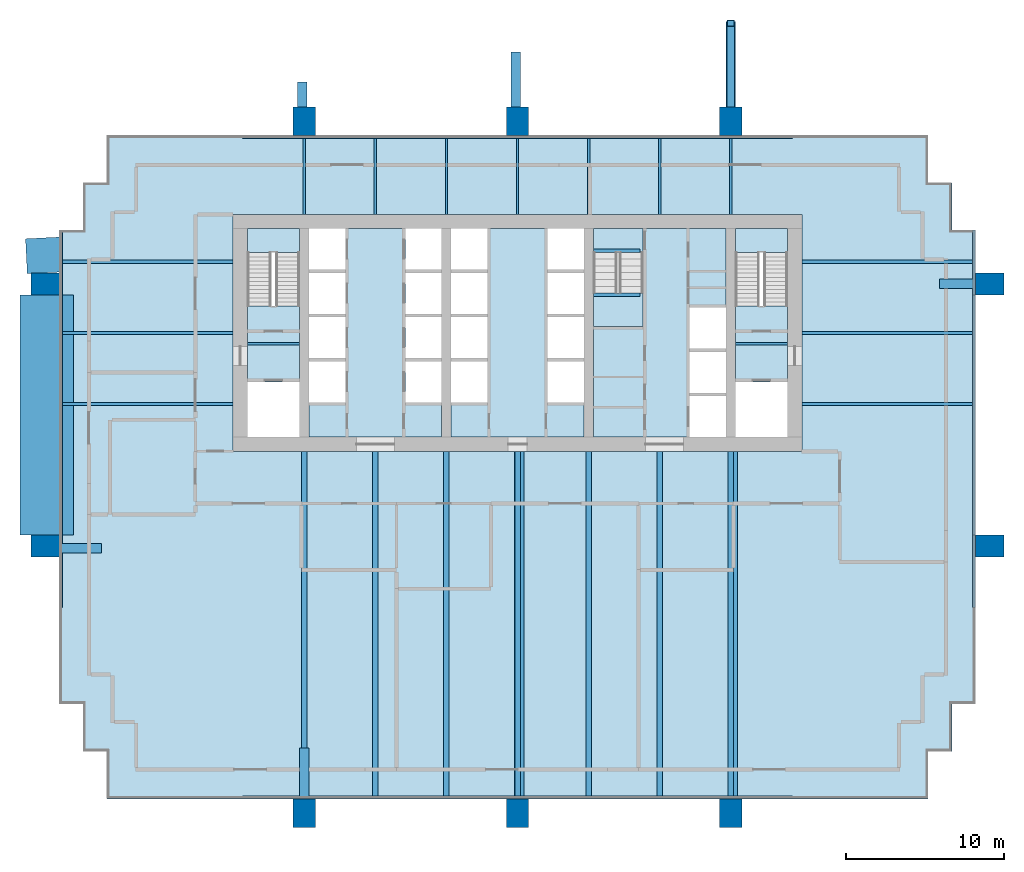
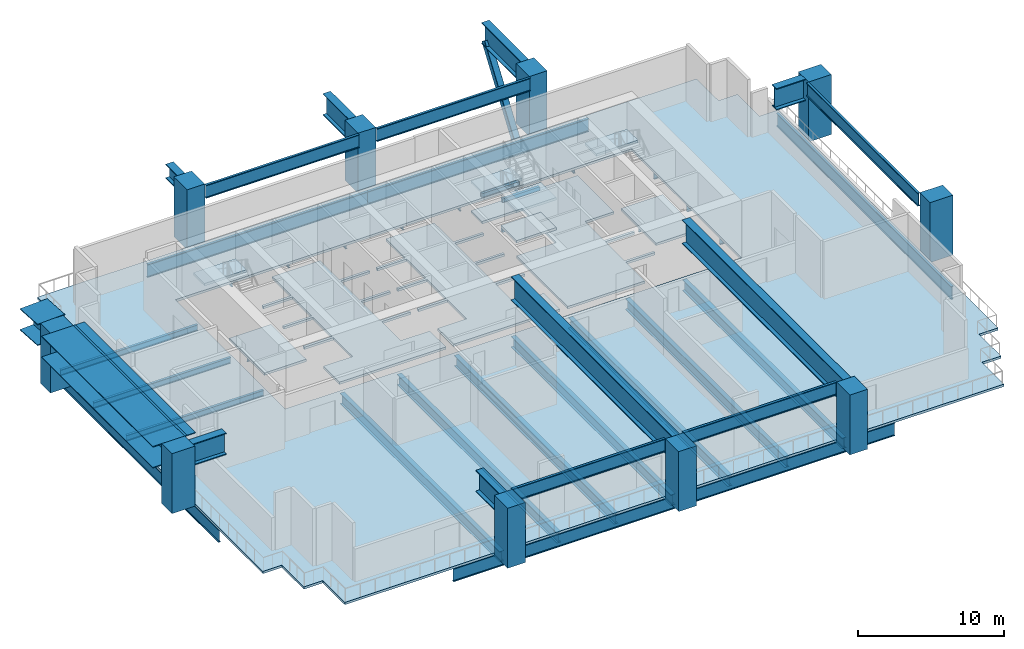
# One storey, part 1 of 9: 47 beams, 11 slabs, 10 columns, 1 member, 3 elements without a shape of their own.
"""IFC4 building model written with IfcOpenShell, lengths in metres."""

from ifc_helpers import new_model, si_unit, direction, frame, origin, origin_2d, place, context, subcontext, project, spatial, polyline, rectangle, hollow_rectangle, i_section, outline, extrude, material, layer, layer_set, material_profile, profile_set, type_object, element, aggregate, save


model = new_model("IFC4")

# Units and contexts
model_context = context("Model", 3, precision=1e-05, world=origin(), true_north=direction((0.0, 1.0)))
body_context = subcontext(model_context, "Body", "Model", "MODEL_VIEW")
ifc_project = project(units=[si_unit("LENGTHUNIT", "METRE"), si_unit("AREAUNIT", "SQUARE_METRE"), si_unit("VOLUMEUNIT", "CUBIC_METRE"), si_unit("PLANEANGLEUNIT", "RADIAN"), si_unit("MASSUNIT", "GRAM", prefix="KILO")], contexts=[model_context])

# Site, building, storey
site_placement = place(None, origin())
site = spatial("IfcSite", under=ifc_project, at=site_placement, CompositionType="ELEMENT")
building_placement = place(site_placement, origin())
building = spatial("IfcBuilding", under=site, at=building_placement, Name="Rattan Terrace Tower", CompositionType="ELEMENT")
storey_placement = place(building_placement, frame((0.0, 0.0, 158.10009765625)))
storey = spatial("IfcBuildingStorey", under=building, at=storey_placement, Name="L36", CompositionType="ELEMENT", Elevation=158.10009765625)

# Columns
ifc_material_1 = material(Name="Concrete C50/60", Category="concrete")
ifc_material_profile_1 = material_profile(ifc_material_1, rectangle(XDim=1.39990234375, YDim=1.800048828125, at=origin_2d()), Name="CFT 1800x1400")
ifc_profile_set_1 = profile_set([ifc_material_profile_1], Name="Concrete C50/60")
column_type = type_object("IfcColumnType", Name="Frame exoskeleton column CFT 1800x1400", PredefinedType="COLUMN", material=ifc_profile_set_1)
for number, where, z_axis, x_axis, name in (
    (1, (-13.5, -30.39990234375, -0.2001953125), (0.0, 0.0, 1.0), (1.0, 0.0, 0.0), "exo-L36-001"),
    (2, (0.0, -30.39990234375, -0.2001953125), (0.0, 0.0, 1.0), (1.0, 0.0, 0.0), "exo-L36-002"),
    (3, (13.5, -30.39990234375, -0.2001953125), (0.0, 0.0, 1.0), (1.0, 0.0, 0.0), "exo-L36-003"),
    (4, (-29.89990234375, -13.5, -0.2001953125), (0.0, 0.0, 1.0), (0.0, 1.0, 0.0), "exo-L36-004"),
    (5, (29.89990234375, -13.5, -0.2001953125), (0.0, 0.0, 1.0), (0.0, 1.0, 0.0), "exo-L36-005"),
    (6, (-29.89990234375, 3.10009765625, -0.2001953125), (0.0, 0.0, 1.0), (0.0, 1.0, 0.0), "exo-L36-006"),
    (7, (29.89990234375, 3.10009765625, -0.2001953125), (0.0, 0.0, 1.0), (0.0, 1.0, 0.0), "exo-L36-007"),
    (8, (-13.5, 13.39990234375, -0.2001953125), (0.0, 0.0, 1.0), (1.0, 0.0, 0.0), "exo-L36-008"),
    (9, (0.0, 13.39990234375, -0.2001953125), (0.0, 0.0, 1.0), (1.0, 0.0, 0.0), "exo-L36-009"),
    (10, (13.5, 13.39990234375, -0.2001953125), (0.0, 0.0, 1.0), (1.0, 0.0, 0.0), "exo-L36-010"),
):
    element("IfcColumn", number, at=place(storey_placement, frame(where, z_axis=z_axis, x_axis=x_axis)), inside=storey, type_object=column_type, Name=name, PredefinedType="COLUMN", context=body_context, shape_type="SweptSolid", body=[
        extrude(rectangle(XDim=1.39990234375, YDim=1.800048828125, at=origin_2d()), origin(), (0.0, 0.0, 1.0), 5.0),
    ])

# Beams
ifc_material_2 = material(Name="Concrete C40/50", Category="concrete")
ifc_material_profile_2 = material_profile(ifc_material_2, rectangle(XDim=0.199951171875, YDim=0.300048828125, at=origin_2d()), Name="RC 200x300")
ifc_profile_set_2 = profile_set([ifc_material_profile_2], Name="Concrete C40/50")
beam_type_1 = type_object("IfcBeamType", Name="Core landing beam RC 200x300", PredefinedType="BEAM", material=ifc_profile_set_2)
for number, where, z_axis, x_axis, name in (
    (11, (4.800048828125, 2.419921875, 0.89990234375), (1.0, 0.0, 0.0), (0.0, 1.0, 0.0), "st-S3-L36 landing 1 edge beam"),
    (12, (4.800048828125, 5.199951171875, 2.14990234375), (1.0, 0.0, 0.0), (0.0, 1.0, 0.0), "st-S3-L36 landing 2 edge beam"),
    (13, (4.800048828125, 2.419921875, 3.39990234375), (1.0, 0.0, 0.0), (0.0, 1.0, 0.0), "st-S3-L36 landing 3 edge beam"),
):
    element("IfcBeam", number, at=place(storey_placement, frame(where, z_axis=z_axis, x_axis=x_axis)), inside=storey, type_object=beam_type_1, Name=name, PredefinedType="BEAM", context=body_context, shape_type="SweptSolid", body=[
        extrude(rectangle(XDim=0.199951171875, YDim=0.300048828125, at=origin_2d()), origin(), (0.0, 0.0, 1.0), 2.949951171875),
    ])
ifc_material_3 = material(Name="Steel S460", Category="steel")
ifc_material_profile_3 = material_profile(ifc_material_3, i_section(OverallWidth=0.179931640625, OverallDepth=1.10009765625, WebThickness=0.01611328125, FlangeThickness=0.050048828125, at=origin_2d()), Name="PG 1100x180-16-50")
ifc_profile_set_3 = profile_set([ifc_material_profile_3], Name="Steel S460")
beam_type_2 = type_object("IfcBeamType", Name="Frame edge girder PG 1100x180-16-50", PredefinedType="SPANDREL", material=ifc_profile_set_3)
for number, where, z_axis, x_axis, name in (
    (14, (-17.39990234375, -29.409912109375, -0.75), (1.0, 0.0, 0.0), (0.0, 1.0, 0.0), "gdr-L36-001"),
    (15, (17.39990234375, -29.409912109375, -0.75), (-1.0, 0.0, 0.0), (0.0, -1.0, 0.0), "gdr-L36-002"),
):
    element("IfcBeam", number, at=place(storey_placement, frame(where, z_axis=z_axis, x_axis=x_axis)), inside=storey, type_object=beam_type_2, Name=name, PredefinedType="SPANDREL", context=body_context, shape_type="SweptSolid", body=[
        extrude(i_section(OverallWidth=0.179931640625, OverallDepth=1.10009765625, WebThickness=0.01611328125, FlangeThickness=0.050048828125, at=origin_2d()), origin(), (0.0, 0.0, 1.0), 17.39990234375),
    ])
for number, where, z_axis, x_axis, name in (
    (16, (-28.909912109375, -17.39990234375, -0.75), (0.0, 1.0, 0.0), (-1.0, 0.0, 0.0), "gdr-L36-003"),
    (17, (28.909912109375, 6.5, -0.75), (0.0, -1.0, 0.0), (1.0, 0.0, 0.0), "gdr-L36-004"),
):
    element("IfcBeam", number, at=place(storey_placement, frame(where, z_axis=z_axis, x_axis=x_axis)), inside=storey, type_object=beam_type_2, Name=name, PredefinedType="SPANDREL", context=body_context, shape_type="SweptSolid", body=[
        extrude(i_section(OverallWidth=0.179931640625, OverallDepth=1.10009765625, WebThickness=0.01611328125, FlangeThickness=0.050048828125, at=origin_2d()), origin(), (0.0, 0.0, 1.0), 23.89990234375),
    ])
for number, where, z_axis, x_axis, name in (
    (18, (-17.39990234375, 12.409912109375, -0.75), (1.0, 0.0, 0.0), (0.0, 1.0, 0.0), "gdr-L36-005"),
    (19, (17.39990234375, 12.409912109375, -0.75), (-1.0, 0.0, 0.0), (0.0, -1.0, 0.0), "gdr-L36-006"),
):
    element("IfcBeam", number, at=place(storey_placement, frame(where, z_axis=z_axis, x_axis=x_axis)), inside=storey, type_object=beam_type_2, Name=name, PredefinedType="SPANDREL", context=body_context, shape_type="SweptSolid", body=[
        extrude(i_section(OverallWidth=0.179931640625, OverallDepth=1.10009765625, WebThickness=0.01611328125, FlangeThickness=0.050048828125, at=origin_2d()), origin(), (0.0, 0.0, 1.0), 17.39990234375),
    ])

# Member
ifc_material_4 = material(Name="Steel S355", Category="steel")
ifc_material_profile_4 = material_profile(ifc_material_4, hollow_rectangle(XDim=0.5, YDim=0.5, WallThickness=0.02001953125, InnerFilletRadius=0.02001953125, OuterFilletRadius=0.0400390625, at=origin_2d()), Name="SHS 500x500x20")
ifc_profile_set_4 = profile_set([ifc_material_profile_4], Name="Steel S355")
member_type = type_object("IfcMemberType", Name="Frame exoskeleton strut SHS 500x500x20", PredefinedType="BRACE", material=ifc_profile_set_4)
member_placement = place(storey_placement, frame((13.5, 14.094970703125, -4.591064453125), z_axis=(0.0, 0.573559542912, 0.819163872943), x_axis=(-1.0, 0.0, 0.0)))
element("IfcMember", 20, at=member_placement, inside=storey, type_object=member_type, Name="str-L36-001", PredefinedType="BRACE", context=body_context, shape_type="SweptSolid", body=[
    extrude(hollow_rectangle(XDim=0.5, YDim=0.5, WallThickness=0.02001953125, InnerFilletRadius=0.02001953125, OuterFilletRadius=0.0400390625, at=origin_2d()), origin(), (0.0, 0.0, 1.0), 9.6083984375),
])

# Beams
ifc_material_5 = material(Name="Steel S355", Category="steel")
ifc_material_profile_5 = material_profile(ifc_material_5, i_section(OverallWidth=0.14990234375, OverallDepth=0.300048828125, WebThickness=0.007080078125, FlangeThickness=0.0107421875, FilletRadius=0.014892578125, at=origin_2d()), Name="IPE 300")
ifc_profile_set_5 = profile_set([ifc_material_profile_5], Name="Steel S355")
beam_type_3 = type_object("IfcBeamType", Name="Frame floor beam IPE 300", PredefinedType="JOIST", material=ifc_profile_set_5)
for number, where, z_axis, x_axis, name in (
    (21, (-17.10009765625, -0.695068359375, -0.35009765625), (1.0, 0.0, 0.0), (0.0, 1.0, 0.0), "bm-L36-001"),
    (22, (13.800048828125, -0.695068359375, -0.35009765625), (1.0, 0.0, 0.0), (0.0, 1.0, 0.0), "bm-L36-002"),
):
    element("IfcBeam", number, at=place(storey_placement, frame(where, z_axis=z_axis, x_axis=x_axis)), inside=storey, type_object=beam_type_3, Name=name, PredefinedType="JOIST", context=body_context, shape_type="SweptSolid", body=[
        extrude(i_section(OverallWidth=0.14990234375, OverallDepth=0.300048828125, WebThickness=0.007080078125, FlangeThickness=0.0107421875, FilletRadius=0.014892578125, at=origin_2d()), origin(), (0.0, 0.0, 1.0), 3.300048828125),
    ])
for number, where, z_axis, x_axis, name in (
    (23, (-13.5, 7.5, -0.35009765625), (0.0, 1.0, 0.0), (-1.0, 0.0, 0.0), "bm-L36-016"),
    (24, (-9.0, 7.5, -0.35009765625), (0.0, 1.0, 0.0), (-1.0, 0.0, 0.0), "bm-L36-017"),
    (25, (-4.5, 7.5, -0.35009765625), (0.0, 1.0, 0.0), (-1.0, 0.0, 0.0), "bm-L36-018"),
    (26, (0.0, 7.5, -0.35009765625), (0.0, 1.0, 0.0), (-1.0, 0.0, 0.0), "bm-L36-019"),
    (27, (4.5, 7.5, -0.35009765625), (0.0, 1.0, 0.0), (-1.0, 0.0, 0.0), "bm-L36-020"),
    (28, (9.0, 7.5, -0.35009765625), (0.0, 1.0, 0.0), (-1.0, 0.0, 0.0), "bm-L36-021"),
    (29, (13.5, 7.5, -0.35009765625), (0.0, 1.0, 0.0), (-1.0, 0.0, 0.0), "bm-L36-022"),
):
    element("IfcBeam", number, at=place(storey_placement, frame(where, z_axis=z_axis, x_axis=x_axis)), inside=storey, type_object=beam_type_3, Name=name, PredefinedType="JOIST", context=body_context, shape_type="SweptSolid", body=[
        extrude(i_section(OverallWidth=0.14990234375, OverallDepth=0.300048828125, WebThickness=0.007080078125, FlangeThickness=0.0107421875, FilletRadius=0.014892578125, at=origin_2d()), origin(), (0.0, 0.0, 1.0), 4.820068359375),
    ])
ifc_material_6 = material(Name="Steel S355", Category="steel")
ifc_material_profile_6 = material_profile(ifc_material_6, i_section(OverallWidth=0.199951171875, OverallDepth=0.5, WebThickness=0.01025390625, FlangeThickness=0.01611328125, FilletRadius=0.02099609375, at=origin_2d()), Name="IPE 500")
ifc_profile_set_6 = profile_set([ifc_material_profile_6], Name="Steel S355")
beam_type_4 = type_object("IfcBeamType", Name="Frame floor beam IPE 500", PredefinedType="JOIST", material=ifc_profile_set_6)
for number, where, z_axis, x_axis, name in (
    (30, (-28.820068359375, -4.5, -0.4501953125), (1.0, 0.0, 0.0), (0.0, 1.0, 0.0), "bm-L36-010"),
    (31, (18.0, -4.5, -0.4501953125), (1.0, 0.0, 0.0), (0.0, 1.0, 0.0), "bm-L36-011"),
    (32, (-28.820068359375, 0.0, -0.4501953125), (1.0, 0.0, 0.0), (0.0, 1.0, 0.0), "bm-L36-012"),
    (33, (18.0, 0.0, -0.4501953125), (1.0, 0.0, 0.0), (0.0, 1.0, 0.0), "bm-L36-013"),
    (34, (-28.820068359375, 4.5, -0.4501953125), (1.0, 0.0, 0.0), (0.0, 1.0, 0.0), "bm-L36-014"),
    (35, (18.0, 4.5, -0.4501953125), (1.0, 0.0, 0.0), (0.0, 1.0, 0.0), "bm-L36-015"),
):
    element("IfcBeam", number, at=place(storey_placement, frame(where, z_axis=z_axis, x_axis=x_axis)), inside=storey, type_object=beam_type_4, Name=name, PredefinedType="JOIST", context=body_context, shape_type="SweptSolid", body=[
        extrude(i_section(OverallWidth=0.199951171875, OverallDepth=0.5, WebThickness=0.01025390625, FlangeThickness=0.01611328125, FilletRadius=0.02099609375, at=origin_2d()), origin(), (0.0, 0.0, 1.0), 10.820068359375),
    ])
ifc_material_7 = material(Name="Steel S460", Category="steel")
ifc_material_profile_7 = material_profile(ifc_material_7, i_section(OverallWidth=0.35009765625, OverallDepth=0.89990234375, WebThickness=0.013916015625, FlangeThickness=0.0400390625, at=origin_2d()), Name="PG 900x350-14-40")
ifc_profile_set_7 = profile_set([ifc_material_profile_7], Name="Steel S460")
beam_type_5 = type_object("IfcBeamType", Name="Frame floor beam PG 900x350-14-40", PredefinedType="JOIST", material=ifc_profile_set_7)
for number, where, z_axis, x_axis, name in (
    (36, (-13.5, -29.320068359375, -0.650146484375), (0.0, 1.0, 0.0), (-1.0, 0.0, 0.0), "bm-L36-003"),
    (37, (-9.0, -29.320068359375, -0.650146484375), (0.0, 1.0, 0.0), (-1.0, 0.0, 0.0), "bm-L36-004"),
    (38, (-4.5, -29.320068359375, -0.650146484375), (0.0, 1.0, 0.0), (-1.0, 0.0, 0.0), "bm-L36-005"),
    (39, (0.0, -29.320068359375, -0.650146484375), (0.0, 1.0, 0.0), (-1.0, 0.0, 0.0), "bm-L36-006"),
    (40, (4.5, -29.320068359375, -0.650146484375), (0.0, 1.0, 0.0), (-1.0, 0.0, 0.0), "bm-L36-007"),
    (41, (9.0, -29.320068359375, -0.650146484375), (0.0, 1.0, 0.0), (-1.0, 0.0, 0.0), "bm-L36-008"),
    (42, (13.5, -29.320068359375, -0.650146484375), (0.0, 1.0, 0.0), (-1.0, 0.0, 0.0), "bm-L36-009"),
):
    element("IfcBeam", number, at=place(storey_placement, frame(where, z_axis=z_axis, x_axis=x_axis)), inside=storey, type_object=beam_type_5, Name=name, PredefinedType="JOIST", context=body_context, shape_type="SweptSolid", body=[
        extrude(i_section(OverallWidth=0.35009765625, OverallDepth=0.89990234375, WebThickness=0.013916015625, FlangeThickness=0.0400390625, at=origin_2d()), origin(), (0.0, 0.0, 1.0), 21.820068359375),
    ])
ifc_material_8 = material(Name="Steel S460", Category="steel")
ifc_material_profile_8 = material_profile(ifc_material_8, i_section(OverallWidth=0.179931640625, OverallDepth=1.10009765625, WebThickness=0.01611328125, FlangeThickness=0.050048828125, at=origin_2d()), Name="PG 1100x180-16-50")
ifc_profile_set_8 = profile_set([ifc_material_profile_8], Name="Steel S460")
beam_type_6 = type_object("IfcBeamType", Name="Frame transfer girder PG 1100x180-16-50", PredefinedType="USERDEFINED", material=ifc_profile_set_8)
beam_1_placement = place(storey_placement, frame((28.909912109375, -12.800048828125, 4.25), z_axis=(0.0, 1.0, 0.0), x_axis=(-1.0, 0.0, 0.0)))
element("IfcBeam", 43, at=beam_1_placement, inside=storey, type_object=beam_type_6, Name="trf-L36-001", ObjectType="TRANSFER GIRDER", PredefinedType="USERDEFINED", context=body_context, shape_type="SweptSolid", body=[
    extrude(i_section(OverallWidth=0.179931640625, OverallDepth=1.10009765625, WebThickness=0.01611328125, FlangeThickness=0.050048828125, at=origin_2d()), origin(), (0.0, 0.0, 1.0), 15.199951171875),
])
for number, where, z_axis, x_axis, name in (
    (44, (12.800048828125, 12.409912109375, 4.25), (-1.0, 0.0, 0.0), (0.0, -1.0, 0.0), "trf-L36-002"),
    (45, (-0.699951171875, 12.409912109375, 4.25), (-1.0, 0.0, 0.0), (0.0, -1.0, 0.0), "trf-L36-003"),
):
    element("IfcBeam", number, at=place(storey_placement, frame(where, z_axis=z_axis, x_axis=x_axis)), inside=storey, type_object=beam_type_6, Name=name, ObjectType="TRANSFER GIRDER", PredefinedType="USERDEFINED", context=body_context, shape_type="SweptSolid", body=[
        extrude(i_section(OverallWidth=0.179931640625, OverallDepth=1.10009765625, WebThickness=0.01611328125, FlangeThickness=0.050048828125, at=origin_2d()), origin(), (0.0, 0.0, 1.0), 12.10009765625),
    ])
beam_2_placement = place(storey_placement, frame((-28.909912109375, 2.39990234375, 4.25), z_axis=(0.0, -1.0, 0.0), x_axis=(1.0, 0.0, 0.0)))
element("IfcBeam", 46, at=beam_2_placement, inside=storey, type_object=beam_type_6, Name="trf-L36-004", ObjectType="TRANSFER GIRDER", PredefinedType="USERDEFINED", context=body_context, shape_type="SweptSolid", body=[
    extrude(i_section(OverallWidth=0.179931640625, OverallDepth=1.10009765625, WebThickness=0.01611328125, FlangeThickness=0.050048828125, at=origin_2d()), origin(), (0.0, 0.0, 1.0), 15.199951171875),
])
for number, where, z_axis, x_axis, name in (
    (47, (-12.800048828125, -29.409912109375, 4.25), (1.0, 0.0, 0.0), (0.0, 1.0, 0.0), "trf-L36-005"),
    (48, (0.699951171875, -29.409912109375, 4.25), (1.0, 0.0, 0.0), (0.0, 1.0, 0.0), "trf-L36-006"),
):
    element("IfcBeam", number, at=place(storey_placement, frame(where, z_axis=z_axis, x_axis=x_axis)), inside=storey, type_object=beam_type_6, Name=name, ObjectType="TRANSFER GIRDER", PredefinedType="USERDEFINED", context=body_context, shape_type="SweptSolid", body=[
        extrude(i_section(OverallWidth=0.179931640625, OverallDepth=1.10009765625, WebThickness=0.01611328125, FlangeThickness=0.050048828125, at=origin_2d()), origin(), (0.0, 0.0, 1.0), 12.10009765625),
    ])
ifc_material_9 = material(Name="Steel S460", Category="steel")
ifc_material_profile_9 = material_profile(ifc_material_9, i_section(OverallWidth=0.60009765625, OverallDepth=1.199951171875, WebThickness=0.0400390625, FlangeThickness=0.070068359375, at=origin_2d()), Name="PG 1200x600-40-70")
ifc_profile_set_9 = profile_set([ifc_material_profile_9], Name="Steel S460")
beam_type_7 = type_object("IfcBeamType", Name="Frame transfer girder PG 1200x600-40-70", PredefinedType="USERDEFINED", material=ifc_profile_set_9)
beam_3_placement = place(storey_placement, frame((-13.6201171875, 14.300048828125, 4.199951171875), z_axis=(0.0, 1.0, 0.0), x_axis=(-1.0, 0.0, 0.0)))
element("IfcBeam", 49, at=beam_3_placement, inside=storey, type_object=beam_type_7, Name="trf-L36-013", ObjectType="TRANSFER GIRDER", PredefinedType="USERDEFINED", context=body_context, shape_type="SweptSolid", body=[
    extrude(i_section(OverallWidth=0.60009765625, OverallDepth=1.199951171875, WebThickness=0.0400390625, FlangeThickness=0.070068359375, at=origin_2d()), origin(), (0.0, 0.0, 1.0), 1.593017578125),
])
ifc_material_10 = material(Name="Steel S460", Category="steel")
ifc_material_profile_10 = material_profile(ifc_material_10, i_section(OverallWidth=2.2119140625, OverallDepth=1.800048828125, WebThickness=0.0400390625, FlangeThickness=0.070068359375, at=origin_2d()), Name="PG 1800x2212-40-70")
ifc_profile_set_10 = profile_set([ifc_material_profile_10], Name="Steel S460")
beam_type_8 = type_object("IfcBeamType", Name="Frame transfer girder PG 1800x2212-40-70", PredefinedType="USERDEFINED", material=ifc_profile_set_10)
beam_4_placement = place(storey_placement, frame((-29.93505859375, 3.800048828125, 3.89990234375), z_axis=(-0.050552836025, 0.998721387961, 0.0), x_axis=(-0.998721387961, -0.050552836025, 0.0)))
element("IfcBeam", 50, at=beam_4_placement, inside=storey, type_object=beam_type_8, Name="trf-L36-010", ObjectType="TRANSFER GIRDER", PredefinedType="USERDEFINED", context=body_context, shape_type="SweptSolid", body=[
    extrude(i_section(OverallWidth=2.2119140625, OverallDepth=1.800048828125, WebThickness=0.0400390625, FlangeThickness=0.070068359375, at=origin_2d()), origin(), (0.0, 0.0, 1.0), 2.216796875),
])
ifc_material_11 = material(Name="Steel S460", Category="steel")
ifc_material_profile_11 = material_profile(ifc_material_11, i_section(OverallWidth=3.3759765625, OverallDepth=1.800048828125, WebThickness=0.030029296875, FlangeThickness=0.06005859375, at=origin_2d()), Name="PG 1800x3376-30-60")
ifc_profile_set_11 = profile_set([ifc_material_profile_11], Name="Steel S460")
beam_type_9 = type_object("IfcBeamType", Name="Frame transfer girder PG 1800x3376-30-60", PredefinedType="USERDEFINED", material=ifc_profile_set_11)
beam_5_placement = place(storey_placement, frame((-29.81201171875, 2.39990234375, 3.89990234375), z_axis=(0.0, -1.0, 0.0), x_axis=(1.0, 0.0, 0.0)))
element("IfcBeam", 51, at=beam_5_placement, inside=storey, type_object=beam_type_9, Name="trf-L36-007", ObjectType="TRANSFER GIRDER", PredefinedType="USERDEFINED", context=body_context, shape_type="SweptSolid", body=[
    extrude(i_section(OverallWidth=3.3759765625, OverallDepth=1.800048828125, WebThickness=0.030029296875, FlangeThickness=0.06005859375, at=origin_2d()), origin(), (0.0, 0.0, 1.0), 15.199951171875),
])
ifc_material_12 = material(Name="Steel S460", Category="steel")
ifc_material_profile_12 = material_profile(ifc_material_12, i_section(OverallWidth=0.60009765625, OverallDepth=1.800048828125, WebThickness=0.0400390625, FlangeThickness=0.070068359375, at=origin_2d()), Name="PG 1800x600-40-70")
ifc_profile_set_12 = profile_set([ifc_material_profile_12], Name="Steel S460")
beam_type_10 = type_object("IfcBeamType", Name="Frame transfer girder PG 1800x600-40-70", PredefinedType="USERDEFINED", material=ifc_profile_set_12)
beam_6_placement = place(storey_placement, frame((-29.0, -13.6201171875, 3.89990234375), z_axis=(1.0, 0.0, 0.0), x_axis=(0.0, 1.0, 0.0)))
element("IfcBeam", 52, at=beam_6_placement, inside=storey, type_object=beam_type_10, Name="trf-L36-008", ObjectType="TRANSFER GIRDER", PredefinedType="USERDEFINED", context=body_context, shape_type="SweptSolid", body=[
    extrude(i_section(OverallWidth=0.60009765625, OverallDepth=1.800048828125, WebThickness=0.0400390625, FlangeThickness=0.070068359375, at=origin_2d()), origin(), (0.0, 0.0, 1.0), 2.64892578125),
])
beam_7_placement = place(storey_placement, frame((26.7060546875, 3.10009765625, 3.89990234375), z_axis=(1.0, 0.0, 0.0), x_axis=(0.0, 1.0, 0.0)))
element("IfcBeam", 53, at=beam_7_placement, inside=storey, type_object=beam_type_10, Name="trf-L36-009", ObjectType="TRANSFER GIRDER", PredefinedType="USERDEFINED", context=body_context, shape_type="SweptSolid", body=[
    extrude(i_section(OverallWidth=0.60009765625, OverallDepth=1.800048828125, WebThickness=0.0400390625, FlangeThickness=0.070068359375, at=origin_2d()), origin(), (0.0, 0.0, 1.0), 2.2939453125),
])
beam_8_placement = place(storey_placement, frame((-0.1201171875, 14.300048828125, 3.89990234375), z_axis=(0.0, 1.0, 0.0), x_axis=(-1.0, 0.0, 0.0)))
element("IfcBeam", 54, at=beam_8_placement, inside=storey, type_object=beam_type_10, Name="trf-L36-011", ObjectType="TRANSFER GIRDER", PredefinedType="USERDEFINED", context=body_context, shape_type="SweptSolid", body=[
    extrude(i_section(OverallWidth=0.60009765625, OverallDepth=1.800048828125, WebThickness=0.0400390625, FlangeThickness=0.070068359375, at=origin_2d()), origin(), (0.0, 0.0, 1.0), 3.489990234375),
])
beam_9_placement = place(storey_placement, frame((-13.5, -29.5, 3.89990234375), z_axis=(0.0, 1.0, 0.0), x_axis=(-1.0, 0.0, 0.0)))
element("IfcBeam", 55, at=beam_9_placement, inside=storey, type_object=beam_type_10, Name="trf-L36-012", ObjectType="TRANSFER GIRDER", PredefinedType="USERDEFINED", context=body_context, shape_type="SweptSolid", body=[
    extrude(i_section(OverallWidth=0.60009765625, OverallDepth=1.800048828125, WebThickness=0.0400390625, FlangeThickness=0.070068359375, at=origin_2d()), origin(), (0.0, 0.0, 1.0), 3.218994140625),
])
beam_10_placement = place(storey_placement, frame((13.5, 14.300048828125, 3.89990234375), z_axis=(0.0, 1.0, 0.0), x_axis=(-1.0, 0.0, 0.0)))
element("IfcBeam", 56, at=beam_10_placement, inside=storey, type_object=beam_type_10, Name="trf-L36-015", ObjectType="TRANSFER GIRDER", PredefinedType="USERDEFINED", context=body_context, shape_type="SweptSolid", body=[
    extrude(i_section(OverallWidth=0.60009765625, OverallDepth=1.800048828125, WebThickness=0.0400390625, FlangeThickness=0.070068359375, at=origin_2d()), origin(), (0.0, 0.0, 1.0), 5.406005859375),
])
ifc_material_13 = material(Name="Steel S460", Category="steel")
ifc_material_profile_13 = material_profile(ifc_material_13, i_section(OverallWidth=0.60009765625, OverallDepth=2.0, WebThickness=0.0400390625, FlangeThickness=0.070068359375, at=origin_2d()), Name="PG 2000x600-40-70")
ifc_profile_set_13 = profile_set([ifc_material_profile_13], Name="Steel S460")
beam_type_11 = type_object("IfcBeamType", Name="Frame transfer girder PG 2000x600-40-70", PredefinedType="USERDEFINED", material=ifc_profile_set_13)
for number, where, z_axis, x_axis, name in (
    (57, (0.1201171875, -29.5, 3.7998046875), (0.0, 1.0, 0.0), (-1.0, 0.0, 0.0), "trf-L36-014"),
    (58, (13.6201171875, -29.5, 3.7998046875), (0.0, 1.0, 0.0), (-1.0, 0.0, 0.0), "trf-L36-016"),
):
    element("IfcBeam", number, at=place(storey_placement, frame(where, z_axis=z_axis, x_axis=x_axis)), inside=storey, type_object=beam_type_11, Name=name, ObjectType="TRANSFER GIRDER", PredefinedType="USERDEFINED", context=body_context, shape_type="SweptSolid", body=[
        extrude(i_section(OverallWidth=0.60009765625, OverallDepth=2.0, WebThickness=0.0400390625, FlangeThickness=0.070068359375, at=origin_2d()), origin(), (0.0, 0.0, 1.0), 22.0),
    ])

# Stair, slab
ifc_material_14 = material(Name="Concrete C40/50", Category="concrete")
stair_type = type_object("IfcStairType", Name="Core exit stair 1500", PredefinedType="HALF_TURN_STAIR", material=ifc_material_14)
stair_1_placement = place(storey_placement, origin())
stair_1 = element("IfcStair", 59, at=stair_1_placement, inside=storey, type_object=stair_type, Name="L36 exit stair 1", PredefinedType="HALF_TURN_STAIR")
ifc_material_15 = material(Name="Concrete C40/50", Category="concrete")
ifc_layer_1 = layer(ifc_material_15, 0.199951171875)
ifc_layer_set_1 = layer_set([ifc_layer_1], Name="Core exit stair landing")
slab_type_1 = type_object("IfcSlabType", Name="Core exit stair landing", PredefinedType="LANDING", material=ifc_layer_set_1)
slab_1_placement = place(storey_placement, frame((0.0, 0.0, 2.2998046875)))
slab_1 = element("IfcSlab", 60, at=slab_1_placement, type_object=slab_type_1, Name="S1 landing 1", PredefinedType="LANDING", context=body_context, shape_type="SweptSolid", body=[
    extrude(outline(polyline([(-13.800048828125, 5.080078125), (-13.800048828125, 6.60009765625), (-17.10009765625, 6.60009765625), (-17.10009765625, 5.080078125), (-13.800048828125, 5.080078125)])), origin(), (0.0, 0.0, 1.0), 0.2001953125),
])
aggregate(stair_1, [slab_1])

stair_2_placement = place(storey_placement, origin())
stair_2 = element("IfcStair", 61, at=stair_2_placement, inside=storey, type_object=stair_type, Name="L36 exit stair 2", PredefinedType="HALF_TURN_STAIR")
slab_2_placement = place(storey_placement, frame((0.0, 0.0, 2.2998046875)))
slab_2 = element("IfcSlab", 62, at=slab_2_placement, type_object=slab_type_1, Name="S2 landing 1", PredefinedType="LANDING", context=body_context, shape_type="SweptSolid", body=[
    extrude(outline(polyline([(17.10009765625, 5.080078125), (17.10009765625, 6.60009765625), (13.800048828125, 6.60009765625), (13.800048828125, 5.080078125), (17.10009765625, 5.080078125)])), origin(), (0.0, 0.0, 1.0), 0.2001953125),
])
aggregate(stair_2, [slab_2])

# Stair, slabs
stair_3_placement = place(storey_placement, origin())
stair_3 = element("IfcStair", 63, at=stair_3_placement, inside=storey, type_object=stair_type, Name="L36 exit stair 3", PredefinedType="HALF_TURN_STAIR")
slab_3_placement = place(storey_placement, frame((0.0, 0.0, 1.0498046875)))
slab_3 = element("IfcSlab", 64, at=slab_3_placement, type_object=slab_type_1, Name="S3 landing 1", PredefinedType="LANDING", context=body_context, shape_type="SweptSolid", body=[
    extrude(outline(polyline([(4.800048828125, 2.52001953125), (4.800048828125, 0.39990234375), (7.949951171875, 0.39990234375), (7.949951171875, 2.52001953125), (4.800048828125, 2.52001953125)])), origin(), (0.0, 0.0, 1.0), 0.2001953125),
])
slab_4_placement = place(storey_placement, frame((0.0, 0.0, 2.2998046875)))
slab_4 = element("IfcSlab", 65, at=slab_4_placement, type_object=slab_type_1, Name="S3 landing 2", PredefinedType="LANDING", context=body_context, shape_type="SweptSolid", body=[
    extrude(outline(polyline([(4.800048828125, 6.60009765625), (4.800048828125, 5.10009765625), (7.949951171875, 5.10009765625), (7.949951171875, 6.60009765625), (4.800048828125, 6.60009765625)])), origin(), (0.0, 0.0, 1.0), 0.2001953125),
])
slab_5_placement = place(storey_placement, frame((0.0, 0.0, 3.5498046875)))
slab_5 = element("IfcSlab", 66, at=slab_5_placement, type_object=slab_type_1, Name="S3 landing 3", PredefinedType="LANDING", context=body_context, shape_type="SweptSolid", body=[
    extrude(outline(polyline([(4.800048828125, 2.52001953125), (4.800048828125, 0.39990234375), (7.949951171875, 0.39990234375), (7.949951171875, 2.52001953125), (4.800048828125, 2.52001953125)])), origin(), (0.0, 0.0, 1.0), 0.2001953125),
])
aggregate(stair_3, [slab_3, slab_4, slab_5])

# Slabs
ifc_material_16 = material(Name="Concrete C35/45", Category="concrete")
ifc_layer_2 = layer(ifc_material_16, 0.199951171875)
ifc_layer_set_2 = layer_set([ifc_layer_2], Name="Frame refuge floor slab 200")
slab_type_2 = type_object("IfcSlabType", Name="Frame refuge floor slab 200", PredefinedType="FLOOR", material=ifc_layer_set_2)
slab_6_placement = place(storey_placement, frame((0.0, 0.0, -0.2001953125)))
element("IfcSlab", 67, at=slab_6_placement, inside=storey, type_object=slab_type_2, Name="Floor slab", PredefinedType="FLOOR", context=body_context, shape_type="SweptSolid", body=[
    extrude(outline(polyline([(-23.0, -29.5), (23.0, -29.5), (26.0, -29.5), (26.0, -26.5), (27.5, -26.5), (27.5, -23.5), (29.0, -23.5), (29.0, 6.5), (27.5, 6.5), (27.5, 9.5), (26.0, 9.5), (26.0, 12.5), (23.0, 12.5), (-23.0, 12.5), (-26.0, 12.5), (-26.0, 9.5), (-27.5, 9.5), (-27.5, 6.5), (-29.0, 6.5), (-29.0, -23.5), (-27.5, -23.5), (-27.5, -26.5), (-26.0, -26.5), (-26.0, -29.5), (-23.0, -29.5)]), holes=[polyline([(-18.0, -6.60009765625), (-18.0, -7.5), (18.0, -7.5), (18.0, -6.60009765625), (18.0, 6.60009765625), (18.0, 7.5), (-18.0, 7.5), (-18.0, 6.60009765625), (-18.0, -6.60009765625)])]), origin(), (0.0, 0.0, 1.0), 0.2001953125),
])
slab_7_placement = place(storey_placement, frame((0.0, 0.0, -0.2001953125)))
element("IfcSlab", 68, at=slab_7_placement, inside=storey, type_object=slab_type_2, Name="Floor slab", PredefinedType="FLOOR", context=body_context, shape_type="SweptSolid", body=[
    extrude(outline(polyline([(-10.89990234375, 6.60009765625), (-10.89990234375, 4.0), (-13.199951171875, 4.0), (-13.199951171875, 3.800048828125), (-10.89990234375, 3.800048828125), (-10.89990234375, 1.199951171875), (-13.199951171875, 1.199951171875), (-13.199951171875, 1.0), (-10.89990234375, 1.0), (-10.89990234375, -1.60009765625), (-13.199951171875, -1.60009765625), (-13.199951171875, -1.800048828125), (-10.89990234375, -1.800048828125), (-10.89990234375, -4.39990234375), (-13.199951171875, -4.39990234375), (-13.199951171875, -6.60009765625), (-4.800048828125, -6.60009765625), (-4.800048828125, -4.39990234375), (-7.10009765625, -4.39990234375), (-7.10009765625, -1.800048828125), (-4.800048828125, -1.800048828125), (-4.800048828125, -1.60009765625), (-7.10009765625, -1.60009765625), (-7.10009765625, 1.0), (-4.800048828125, 1.0), (-4.800048828125, 1.199951171875), (-7.10009765625, 1.199951171875), (-7.10009765625, 3.800048828125), (-4.800048828125, 3.800048828125), (-4.800048828125, 4.0), (-7.10009765625, 4.0), (-7.10009765625, 6.60009765625), (-10.89990234375, 6.60009765625)])), origin(), (0.0, 0.0, 1.0), 0.2001953125),
])
slab_8_placement = place(storey_placement, frame((0.0, 0.0, -0.2001953125)))
element("IfcSlab", 69, at=slab_8_placement, inside=storey, type_object=slab_type_2, Name="Floor slab", PredefinedType="FLOOR", context=body_context, shape_type="SweptSolid", body=[
    extrude(outline(polyline([(-17.10009765625, -3.10009765625), (-13.800048828125, -3.10009765625), (-13.800048828125, 1.7099609375), (-17.10009765625, 1.7099609375), (-17.10009765625, -3.10009765625)])), origin(), (0.0, 0.0, 1.0), 0.2001953125),
])
slab_9_placement = place(storey_placement, frame((0.0, 0.0, -0.2001953125)))
element("IfcSlab", 70, at=slab_9_placement, inside=storey, type_object=slab_type_2, Name="Floor slab", PredefinedType="FLOOR", context=body_context, shape_type="SweptSolid", body=[
    extrude(outline(polyline([(-4.199951171875, 4.0), (-4.199951171875, 3.800048828125), (-1.89990234375, 3.800048828125), (-1.89990234375, 1.199951171875), (-4.199951171875, 1.199951171875), (-4.199951171875, 1.0), (-1.89990234375, 1.0), (-1.89990234375, -1.60009765625), (-4.199951171875, -1.60009765625), (-4.199951171875, -1.800048828125), (-1.89990234375, -1.800048828125), (-1.89990234375, -4.39990234375), (-4.199951171875, -4.39990234375), (-4.199951171875, -6.60009765625), (4.199951171875, -6.60009765625), (4.199951171875, -4.39990234375), (1.89990234375, -4.39990234375), (1.89990234375, -1.800048828125), (4.199951171875, -1.800048828125), (4.199951171875, -1.60009765625), (1.89990234375, -1.60009765625), (1.89990234375, 1.0), (4.199951171875, 1.0), (4.199951171875, 1.199951171875), (1.89990234375, 1.199951171875), (1.89990234375, 3.800048828125), (4.199951171875, 3.800048828125), (4.199951171875, 4.0), (1.89990234375, 4.0), (1.89990234375, 6.60009765625), (-1.89990234375, 6.60009765625), (-1.89990234375, 4.0), (-4.199951171875, 4.0)])), origin(), (0.0, 0.0, 1.0), 0.2001953125),
])
slab_10_placement = place(storey_placement, frame((0.0, 0.0, -0.2001953125)))
element("IfcSlab", 71, at=slab_10_placement, inside=storey, type_object=slab_type_2, Name="Floor slab", PredefinedType="FLOOR", context=body_context, shape_type="SweptSolid", body=[
    extrude(outline(polyline([(4.800048828125, 5.090087890625), (7.949951171875, 5.090087890625), (7.949951171875, 0.39990234375), (4.800048828125, 0.39990234375), (4.800048828125, -6.60009765625), (10.89990234375, -6.60009765625), (10.89990234375, -4.0), (13.199951171875, -4.0), (13.199951171875, -3.800048828125), (10.89990234375, -3.800048828125), (10.89990234375, -1.199951171875), (13.199951171875, -1.199951171875), (13.199951171875, -1.0), (10.89990234375, -1.0), (10.89990234375, 1.60009765625), (13.199951171875, 1.60009765625), (13.199951171875, 6.60009765625), (4.800048828125, 6.60009765625), (4.800048828125, 5.090087890625)])), origin(), (0.0, 0.0, 1.0), 0.2001953125),
])
slab_11_placement = place(storey_placement, frame((0.0, 0.0, -0.2001953125)))
element("IfcSlab", 72, at=slab_11_placement, inside=storey, type_object=slab_type_2, Name="Floor slab", PredefinedType="FLOOR", context=body_context, shape_type="SweptSolid", body=[
    extrude(outline(polyline([(13.800048828125, -3.10009765625), (17.10009765625, -3.10009765625), (17.10009765625, 1.7099609375), (13.800048828125, 1.7099609375), (13.800048828125, -3.10009765625)])), origin(), (0.0, 0.0, 1.0), 0.2001953125),
])

save(model, "model.ifc")
